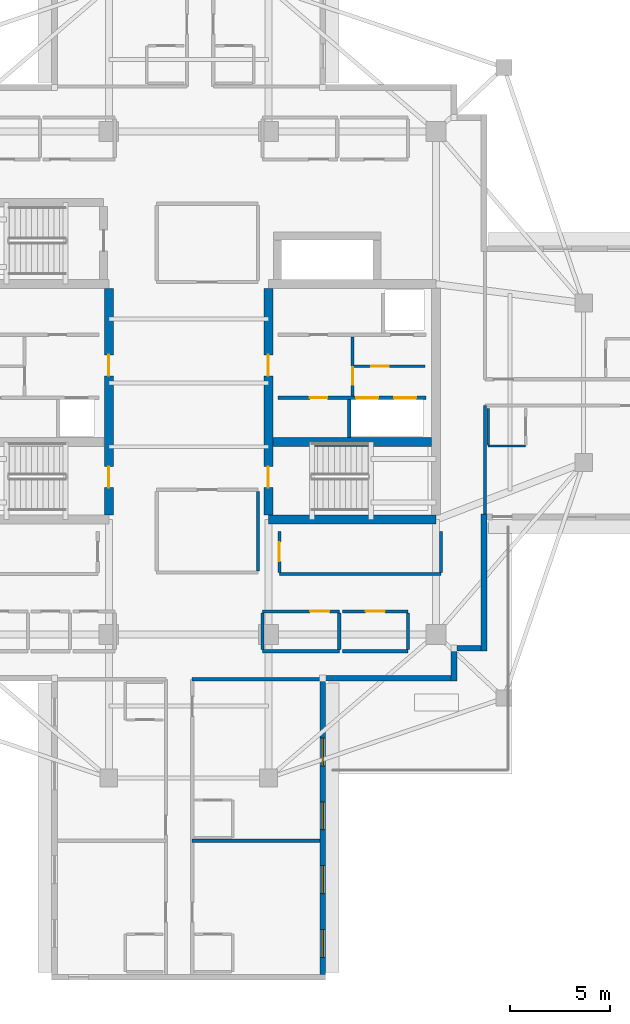
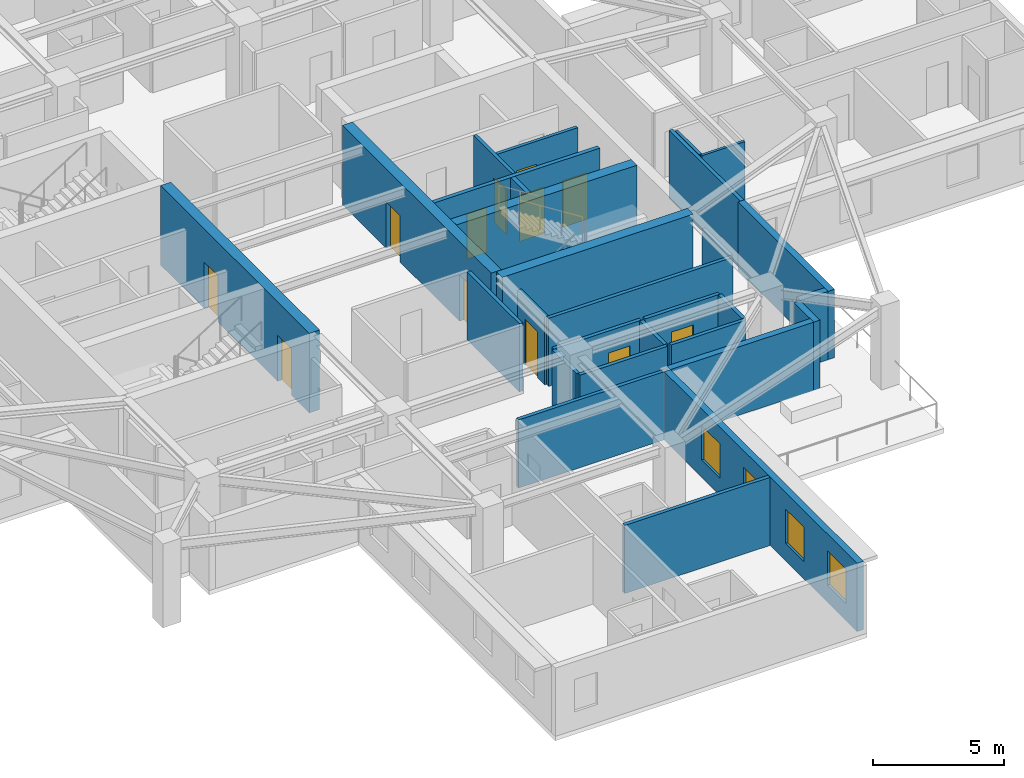
# One storey, part 5 of 13: 29 walls, 12 doors, 4 windows, 16 openings.
"""IFC4 building model written with IfcOpenShell, lengths in metres."""

import ifcopenshell
import ifcopenshell.guid

model = None  # the IFC model being written
_history = None  # IfcOwnerHistory: only IFC2X3 demands one
_inside = {}  # id of a spatial element -> (the spatial element, [elements in it])
_under = {}  # id of a project, library or spatial element -> (it, [spatial elements below it])
_declared = {}  # id of a project -> (the project, [libraries it declares])
_typed = {}  # id of a type object -> (the type object, [elements of that type])
_made_of = {}  # id of a material, layer set ... -> (it, [elements and type objects made of it])


def new_model(schema):
    """Start an empty IFC model of exactly this schema.

    Asked for "IFC4X3", IfcOpenShell would pick the latest addendum, in which some entities
    have other attributes; the version numbers below select the first issue.
    IFC2X3 requires an IfcOwnerHistory on every rooted entity: one is made here for all.
    """
    global model, _history
    if schema == "IFC4X3":
        model = ifcopenshell.file(schema_version=(4, 3, 0, 0))
    else:
        model = ifcopenshell.file(schema=schema)
    _inside.clear()
    _under.clear()
    _declared.clear()
    _typed.clear()
    _made_of.clear()
    _history = None
    if model.schema == "IFC2X3":
        org = make("IfcOrganization", Name="unknown")
        user = make(
            "IfcPersonAndOrganization",
            ThePerson=make("IfcPerson", FamilyName="unknown"),
            TheOrganization=org,
        )
        app = make(
            "IfcApplication",
            ApplicationDeveloper=org,
            Version="unknown",
            ApplicationFullName="unknown",
            ApplicationIdentifier="unknown",
        )
        _history = make(
            "IfcOwnerHistory",
            OwningUser=user,
            OwningApplication=app,
            ChangeAction="ADDED",
            CreationDate=0,
        )
    return model


def make(cls, **values):
    """One entity of the class cls with the attributes given. An attribute that is None is left unset."""
    return model.create_entity(
        cls, **{name: value for name, value in values.items() if value is not None}
    )


def rooted(cls, **values):
    """An entity with a GlobalId (a new one), such as an element, a storey or a relation."""
    return make(cls, GlobalId=ifcopenshell.guid.new(), OwnerHistory=_history, **values)


def si_unit(unit_type, name, prefix=None):
    """IfcSIUnit, for example si_unit("LENGTHUNIT", "METRE", prefix="MILLI")."""
    return make("IfcSIUnit", UnitType=unit_type, Prefix=prefix, Name=name)


def assignment(units):
    """IfcUnitAssignment: the units of a project."""
    return None if units is None else make("IfcUnitAssignment", Units=units)


def point(xyz):
    """IfcCartesianPoint."""
    return None if xyz is None else make("IfcCartesianPoint", Coordinates=xyz)


def direction(xyz):
    """IfcDirection."""
    return None if xyz is None else make("IfcDirection", DirectionRatios=xyz)


def frame(location, z_axis=None, x_axis=None):
    """IfcAxis2Placement3D, a coordinate frame: its origin and axes. An axis left out is left unset."""
    return make(
        "IfcAxis2Placement3D",
        Location=point(location),
        Axis=direction(z_axis),
        RefDirection=direction(x_axis),
    )


def frame_2d(location, x_axis=None):
    """IfcAxis2Placement2D, a coordinate frame in the plane: its origin and x axis."""
    return make(
        "IfcAxis2Placement2D", Location=point(location), RefDirection=direction(x_axis)
    )


def origin():
    """The frame at (0, 0, 0) with its axes left unset."""
    return frame((0.0, 0.0, 0.0))


def place(relative_to, where):
    """IfcLocalPlacement: puts the frame where relative to a parent placement (None: the world)."""
    return make(
        "IfcLocalPlacement", PlacementRelTo=relative_to, RelativePlacement=where
    )


def context(
    kind, dimensions, precision=None, world=None, true_north=None, identifier=None
):
    """IfcGeometricRepresentationContext, for example the 3D "Model" context."""
    return make(
        "IfcGeometricRepresentationContext",
        ContextIdentifier=identifier,
        ContextType=kind,
        CoordinateSpaceDimension=dimensions,
        Precision=precision,
        WorldCoordinateSystem=world,
        TrueNorth=true_north,
    )


def subcontext(parent, identifier, kind, view, scale=None):
    """IfcGeometricRepresentationSubContext, for example "Body" below "Model"."""
    return make(
        "IfcGeometricRepresentationSubContext",
        ContextIdentifier=identifier,
        ContextType=kind,
        ParentContext=parent,
        TargetScale=scale,
        TargetView=view,
    )


def project(units=None, contexts=None):
    """IfcProject with its units and contexts."""
    return rooted(
        "IfcProject",
        Name="project",
        RepresentationContexts=contexts,
        UnitsInContext=assignment(units),
    )


def spatial(cls, under=None, at=None, **own):
    """A site, building, storey or space (cls), placed at a placement, below another one or the project."""
    s = rooted(cls, ObjectPlacement=at, **own)
    if under is not None:
        _under.setdefault(under.id(), (under, []))[1].append(s)
    return s


def profile(cls, at=None, kind="AREA", **sizes):
    """A parametric profile (cls). Its sizes go by their IFC names, for example OverallWidth=200.0."""
    return make(cls, ProfileType=kind, Position=at, **sizes)


def rectangle(**sizes):
    """IfcRectangleProfileDef."""
    return profile("IfcRectangleProfileDef", **sizes)


def extrude(swept, where, along, depth):
    """IfcExtrudedAreaSolid: the profile swept, set in the frame where, extruded along a direction by depth."""
    return make(
        "IfcExtrudedAreaSolid",
        SweptArea=swept,
        Position=where,
        ExtrudedDirection=direction(along),
        Depth=depth,
    )


def shape(context_of_items, identifier, shape_type, items):
    """IfcShapeRepresentation: the items that make up one representation, for example the "Body"."""
    return make(
        "IfcShapeRepresentation",
        ContextOfItems=context_of_items,
        RepresentationIdentifier=identifier,
        RepresentationType=shape_type,
        Items=items,
    )


def material(Name=None, Category=None):
    """IfcMaterial."""
    return make("IfcMaterial", Name=Name, Category=Category)


def layer(
    of_material, thickness, ventilated=None, Name=None, Category=None, Priority=None
):
    """IfcMaterialLayer: one layer of a wall or slab, of a material (None: an air gap)."""
    return make(
        "IfcMaterialLayer",
        Material=of_material,
        LayerThickness=thickness,
        IsVentilated=ventilated,
        Name=Name,
        Category=Category,
        Priority=Priority,
    )


def layer_set(layers, Name=None):
    """IfcMaterialLayerSet."""
    return make("IfcMaterialLayerSet", MaterialLayers=layers, LayerSetName=Name)


def made_of(thing, what):
    """Note that an element or type object is made of a material, layer set ...; save() writes the relation."""
    if what is not None:
        _made_of.setdefault(what.id(), (what, []))[1].append(thing)
    return thing


def type_object(cls, material=None, **own):
    """A type object (cls), such as IfcWallType, which elements share."""
    return made_of(rooted(cls, **own), material)


def element(
    cls,
    number,
    at=None,
    inside=None,
    cuts=None,
    type_object=None,
    material=None,
    context=None,
    identifier="Body",
    shape_type=None,
    held_by="IfcProductDefinitionShape",
    body=None,
    shapes=None,
    **own,
):
    """One element of the class cls, such as IfcWall. Its Tag is "e" and its number.

    at: its placement. inside: the storey or other place that contains it. cuts: it is an
    opening in that element (IfcRelVoidsElement). A single representation is given by context,
    identifier, shape_type and body (its items); several are given by shapes. held_by: the class
    of the entity that holds the representations. save() writes the other relations.
    """
    e = rooted(cls, Tag="e%d" % number, ObjectPlacement=at, **own)
    if body is not None:
        shapes = [shape(context, identifier, shape_type, body)]
    if shapes is not None:
        e.Representation = make(held_by, Representations=shapes)
    if inside is not None:
        _inside.setdefault(inside.id(), (inside, []))[1].append(e)
    if cuts is not None:
        rooted(
            "IfcRelVoidsElement", RelatingBuildingElement=cuts, RelatedOpeningElement=e
        )
    if type_object is not None:
        _typed.setdefault(type_object.id(), (type_object, []))[1].append(e)
    return made_of(e, material)


def fill(opening, filler):
    """IfcRelFillsElement: the door or window that sits in an opening."""
    return rooted(
        "IfcRelFillsElement",
        RelatingOpeningElement=opening,
        RelatedBuildingElement=filler,
    )


def aggregate(whole, parts):
    """IfcRelAggregates: a whole, such as a stair, and the parts it consists of."""
    return rooted("IfcRelAggregates", RelatingObject=whole, RelatedObjects=parts)


def save(model, path):
    """Write the relations noted so far, then the file.

    IfcRelAggregates (storeys below a building ...), IfcRelContainedInSpatialStructure (elements
    in a storey), IfcRelDefinesByType, IfcRelAssociatesMaterial and IfcRelDeclares: one each for
    every whole, place, type object, material and project.
    """
    for whole, parts in _under.values():
        aggregate(whole, parts)
    for where, things in _inside.values():
        rooted(
            "IfcRelContainedInSpatialStructure",
            RelatedElements=things,
            RelatingStructure=where,
        )
    for kind, things in _typed.values():
        rooted("IfcRelDefinesByType", RelatedObjects=things, RelatingType=kind)
    for what, things in _made_of.values():
        rooted("IfcRelAssociatesMaterial", RelatedObjects=things, RelatingMaterial=what)
    for by, libraries in _declared.values():
        rooted("IfcRelDeclares", RelatingContext=by, RelatedDefinitions=libraries)
    model.write(path)


model = new_model("IFC4")

# Units and contexts
model_context = context("Model", 3, precision=1e-05, world=origin(), true_north=direction((0.0, 1.0)))
body_context = subcontext(model_context, "Body", "Model", "MODEL_VIEW")
ifc_project = project(units=[si_unit("LENGTHUNIT", "METRE"), si_unit("AREAUNIT", "SQUARE_METRE"), si_unit("VOLUMEUNIT", "CUBIC_METRE"), si_unit("PLANEANGLEUNIT", "RADIAN"), si_unit("MASSUNIT", "GRAM", prefix="KILO")], contexts=[model_context])

# Site, building, storey
site_placement = place(None, origin())
site = spatial("IfcSite", under=ifc_project, at=site_placement, CompositionType="ELEMENT")
building_placement = place(site_placement, origin())
building = spatial("IfcBuilding", under=site, at=building_placement, Name="Qingluan Cross Belvedere", CompositionType="ELEMENT")
storey_placement = place(building_placement, frame((0.0, 0.0, 224.699951171875)))
storey = spatial("IfcBuildingStorey", under=building, at=storey_placement, Name="L56", CompositionType="ELEMENT", Elevation=224.699951171875)

# Wall, openings, doors
ifc_material_1 = material(Name="Concrete C50", Category="concrete")
ifc_layer_1 = layer(ifc_material_1, 0.449951171875, Name="CoreShearWall_450")
ifc_layer_set_1 = layer_set([ifc_layer_1], Name="Concrete C50")
wall_type_1 = type_object("IfcWallType", Name="CoreShearWall_450", PredefinedType="SHEAR", material=ifc_layer_set_1)
wall_1_placement = place(storey_placement, frame((-4.0, -6.6201171875, 0.0), z_axis=(0.0, 0.0, 1.0), x_axis=(0.0, 1.0, 0.0)))
wall_1 = element("IfcWall", 1, at=wall_1_placement, inside=storey, type_object=wall_type_1, Name="Split core W shear wall L56-E", PredefinedType="SHEAR", context=body_context, shape_type="SweptSolid", body=[
    extrude(rectangle(XDim=11.340087890625, YDim=0.449951171875, at=frame_2d((5.669921875, 0.0))), origin(), (0.0, 0.0, 1.0), 3.699951171875),
])
opening_1_placement = place(wall_1_placement, frame((1.3701171875, 0.0, 0.0)))
opening_1 = element("IfcOpeningElement", 2, at=opening_1_placement, cuts=wall_1, Name="Opening FD-B11", PredefinedType="OPENING", context=body_context, shape_type="SweptSolid", body=[
    extrude(rectangle(XDim=1.050048828125, YDim=2.14990234375, at=frame_2d((0.52490234375, 1.074951171875))), frame((0.0, 0.23486328125, 0.0), z_axis=(0.0, -1.0, 0.0), x_axis=(1.0, 0.0, 0.0)), (0.0, 0.0, 1.0), 0.469970703125),
])
opening_2_placement = place(wall_1_placement, frame((6.969970703125, 0.0, 0.0)))
opening_2 = element("IfcOpeningElement", 3, at=opening_2_placement, cuts=wall_1, Name="Opening FD-B11", PredefinedType="OPENING", context=body_context, shape_type="SweptSolid", body=[
    extrude(rectangle(XDim=1.050048828125, YDim=2.14990234375, at=frame_2d((0.52490234375, 1.074951171875))), frame((0.0, 0.23486328125, 0.0), z_axis=(0.0, -1.0, 0.0), x_axis=(1.0, 0.0, 0.0)), (0.0, 0.0, 1.0), 0.469970703125),
])
ifc_material_2 = material(Name="Steel Class B smoke-seal fire door", Category="steel")
door_type_1 = type_object("IfcDoorType", Name="StairLobbyFireDoor_FDB", OperationType="NOTDEFINED", PredefinedType="DOOR", material=ifc_material_2)
door_1_placement = place(opening_1_placement, origin())
door_1 = element("IfcDoor", 4, at=door_1_placement, inside=storey, type_object=door_type_1, Name="Smoke-proof stair ST1 fire door L56", OperationType="SINGLE_SWING_RIGHT", OverallHeight=2.14990234375, OverallWidth=1.050048828125, PredefinedType="DOOR", context=body_context, shape_type="SweptSolid", body=[
    extrude(rectangle(XDim=1.050048828125, YDim=2.14990234375, at=frame_2d((0.52490234375, 1.074951171875))), frame((0.0, 0.02490234375, 0.0), z_axis=(0.0, -1.0, 0.0), x_axis=(1.0, 0.0, 0.0)), (0.0, 0.0, 1.0), 0.050048828125),
])
fill(opening_1, door_1)
door_2_placement = place(opening_2_placement, origin())
door_2 = element("IfcDoor", 5, at=door_2_placement, inside=storey, type_object=door_type_1, Name="Firefighting lobby West fire door L56", OperationType="SINGLE_SWING_RIGHT", OverallHeight=2.14990234375, OverallWidth=1.050048828125, PredefinedType="DOOR", context=body_context, shape_type="SweptSolid", body=[
    extrude(rectangle(XDim=1.050048828125, YDim=2.14990234375, at=frame_2d((0.52490234375, 1.074951171875))), frame((0.0, 0.02490234375, 0.0), z_axis=(0.0, -1.0, 0.0), x_axis=(1.0, 0.0, 0.0)), (0.0, 0.0, 1.0), 0.050048828125),
])
fill(opening_2, door_2)

# Wall
wall_2_placement = place(storey_placement, frame((4.0, -6.85009765625, 0.0), z_axis=(0.0, 0.0, 1.0), x_axis=(1.0, 0.0, 0.0)))
element("IfcWall", 6, at=wall_2_placement, inside=storey, type_object=wall_type_1, Name="Split core E shear wall L56-S", PredefinedType="SHEAR", context=body_context, shape_type="SweptSolid", body=[
    extrude(rectangle(XDim=8.39990234375, YDim=0.449951171875, at=frame_2d((4.199951171875, 0.0))), origin(), (0.0, 0.0, 1.0), 3.699951171875),
])

# Wall, openings, doors
wall_3_placement = place(storey_placement, frame((4.0, -6.6201171875, 0.0), z_axis=(0.0, 0.0, 1.0), x_axis=(0.0, 1.0, 0.0)))
wall_3 = element("IfcWall", 7, at=wall_3_placement, inside=storey, type_object=wall_type_1, Name="Split core E shear wall L56-W", PredefinedType="SHEAR", context=body_context, shape_type="SweptSolid", body=[
    extrude(rectangle(XDim=11.340087890625, YDim=0.449951171875, at=frame_2d((5.669921875, 0.0))), origin(), (0.0, 0.0, 1.0), 3.699951171875),
])
opening_3_placement = place(wall_3_placement, frame((1.3701171875, 0.0, 0.0)))
opening_3 = element("IfcOpeningElement", 8, at=opening_3_placement, cuts=wall_3, Name="Opening FD-B11", PredefinedType="OPENING", context=body_context, shape_type="SweptSolid", body=[
    extrude(rectangle(XDim=1.050048828125, YDim=2.14990234375, at=frame_2d((0.52490234375, 1.074951171875))), frame((0.0, 0.23486328125, 0.0), z_axis=(0.0, -1.0, 0.0), x_axis=(1.0, 0.0, 0.0)), (0.0, 0.0, 1.0), 0.469970703125),
])
opening_4_placement = place(wall_3_placement, frame((6.969970703125, 0.0, 0.0)))
opening_4 = element("IfcOpeningElement", 9, at=opening_4_placement, cuts=wall_3, Name="Opening FD-B11", PredefinedType="OPENING", context=body_context, shape_type="SweptSolid", body=[
    extrude(rectangle(XDim=1.050048828125, YDim=2.14990234375, at=frame_2d((0.52490234375, 1.074951171875))), frame((0.0, 0.23486328125, 0.0), z_axis=(0.0, -1.0, 0.0), x_axis=(1.0, 0.0, 0.0)), (0.0, 0.0, 1.0), 0.469970703125),
])
door_3_placement = place(opening_3_placement, origin())
door_3 = element("IfcDoor", 10, at=door_3_placement, inside=storey, type_object=door_type_1, Name="Smoke-proof stair ST2 fire door L56", OperationType="SINGLE_SWING_LEFT", OverallHeight=2.14990234375, OverallWidth=1.050048828125, PredefinedType="DOOR", context=body_context, shape_type="SweptSolid", body=[
    extrude(rectangle(XDim=1.050048828125, YDim=2.14990234375, at=frame_2d((0.52490234375, 1.074951171875))), frame((0.0, 0.02490234375, 0.0), z_axis=(0.0, -1.0, 0.0), x_axis=(1.0, 0.0, 0.0)), (0.0, 0.0, 1.0), 0.050048828125),
])
fill(opening_3, door_3)
door_4_placement = place(opening_4_placement, origin())
door_4 = element("IfcDoor", 11, at=door_4_placement, inside=storey, type_object=door_type_1, Name="Firefighting lobby East fire door L56", OperationType="SINGLE_SWING_LEFT", OverallHeight=2.14990234375, OverallWidth=1.050048828125, PredefinedType="DOOR", context=body_context, shape_type="SweptSolid", body=[
    extrude(rectangle(XDim=1.050048828125, YDim=2.14990234375, at=frame_2d((0.52490234375, 1.074951171875))), frame((0.0, 0.02490234375, 0.0), z_axis=(0.0, -1.0, 0.0), x_axis=(1.0, 0.0, 0.0)), (0.0, 0.0, 1.0), 0.050048828125),
])
fill(opening_4, door_4)

# Wall
wall_4_placement = place(storey_placement, frame((4.22998046875, -2.9599609375, 0.0), z_axis=(0.0, 0.0, 1.0), x_axis=(1.0, 0.0, 0.0)))
element("IfcWall", 12, at=wall_4_placement, inside=storey, type_object=wall_type_1, Name="Split core E shear wall L56-M", PredefinedType="SHEAR", context=body_context, shape_type="SweptSolid", body=[
    extrude(rectangle(XDim=7.93994140625, YDim=0.449951171875, at=frame_2d((3.969970703125, 0.0))), origin(), (0.0, 0.0, 1.0), 3.699951171875),
])

# Wall, opening, door
ifc_material_3 = material(Name="Gypsum plasterboard on steel stud acoustic partition", Category="steel")
ifc_layer_2 = layer(ifc_material_3, 0.159912109375, Name="CorridorPartition_160")
ifc_layer_set_2 = layer_set([ifc_layer_2], Name="Gypsum plasterboard on steel stud acoustic partition")
wall_type_2 = type_object("IfcWallType", Name="CorridorPartition_160", PredefinedType="PARTITIONING", material=ifc_layer_set_2)
wall_5_placement = place(storey_placement, frame((8.298095703125, 0.830078125, 0.0), z_axis=(0.0, 0.0, 1.0), x_axis=(1.0, 0.0, 0.0)))
wall_5 = element("IfcWall", 13, at=wall_5_placement, inside=storey, type_object=wall_type_2, Name="Partition L56:e", PredefinedType="PARTITIONING", context=body_context, shape_type="SweptSolid", body=[
    extrude(rectangle(XDim=3.552001953125, YDim=0.139892578125, at=frame_2d((1.77587890625, 0.0))), origin(), (0.0, 0.0, 1.0), 3.170166015625),
])
opening_5_placement = place(wall_5_placement, frame((0.85009765625, 0.0, 0.0)))
opening_5 = element("IfcOpeningElement", 14, at=opening_5_placement, cuts=wall_5, Name="Opening FD-B10", PredefinedType="OPENING", context=body_context, shape_type="SweptSolid", body=[
    extrude(rectangle(XDim=0.8798828125, YDim=2.10009765625, at=frame_2d((0.43994140625, 1.050048828125))), frame((0.0, 0.079833984375, 0.0), z_axis=(0.0, -1.0, 0.0), x_axis=(1.0, 0.0, 0.0)), (0.0, 0.0, 1.0), 0.159912109375),
])
ifc_material_4 = material(Name="Steel Class B service fire door", Category="steel")
door_type_2 = type_object("IfcDoorType", Name="RiserServiceFireDoor_FDB", OperationType="NOTDEFINED", PredefinedType="DOOR", material=ifc_material_4)
door_5_placement = place(opening_5_placement, origin())
door_5 = element("IfcDoor", 15, at=door_5_placement, inside=storey, type_object=door_type_2, Name="Service closet inner door L56", OperationType="SINGLE_SWING_RIGHT", OverallHeight=2.10009765625, OverallWidth=0.8798828125, PredefinedType="DOOR", context=body_context, shape_type="SweptSolid", body=[
    extrude(rectangle(XDim=0.8798828125, YDim=2.10009765625, at=frame_2d((0.43994140625, 1.050048828125))), frame((0.0, 0.02490234375, 0.0), z_axis=(0.0, -1.0, 0.0), x_axis=(1.0, 0.0, 0.0)), (0.0, 0.0, 1.0), 0.050048828125),
])
fill(opening_5, door_5)

# Wall
wall_6_placement = place(storey_placement, frame((3.699951171875, -13.449951171875, 0.0), z_axis=(0.0, 0.0, 1.0), x_axis=(1.0, 0.0, 0.0)))
element("IfcWall", 16, at=wall_6_placement, inside=storey, type_object=wall_type_2, Name="Partition L56:q_se1:S", PredefinedType="PARTITIONING", context=body_context, shape_type="SweptSolid", body=[
    extrude(rectangle(XDim=3.85009765625, YDim=0.159912109375, at=frame_2d((1.925048828125, 0.0))), origin(), (0.0, 0.0, 1.0), 3.170166015625),
])

# Wall, opening, door
wall_7_placement = place(storey_placement, frame((3.699951171875, -11.449951171875, 0.0), z_axis=(0.0, 0.0, 1.0), x_axis=(1.0, 0.0, 0.0)))
wall_7 = element("IfcWall", 17, at=wall_7_placement, inside=storey, type_object=wall_type_2, Name="Partition L56:q_se1:N", PredefinedType="PARTITIONING", context=body_context, shape_type="SweptSolid", body=[
    extrude(rectangle(XDim=3.85009765625, YDim=0.159912109375, at=frame_2d((1.925048828125, 0.0))), origin(), (0.0, 0.0, 1.0), 3.170166015625),
])
opening_6_placement = place(wall_7_placement, frame((2.39501953125, 0.0, 0.0)))
opening_6 = element("IfcOpeningElement", 18, at=opening_6_placement, cuts=wall_7, Name="Opening GD-10", PredefinedType="OPENING", context=body_context, shape_type="SweptSolid", body=[
    extrude(rectangle(XDim=0.9599609375, YDim=2.14990234375, at=frame_2d((0.47998046875, 1.074951171875))), frame((0.0, 0.08984375, 0.0), z_axis=(0.0, -1.0, 0.0), x_axis=(1.0, 0.0, 0.0)), (0.0, 0.0, 1.0), 0.179931640625),
])
ifc_material_5 = material(Name="Timber oak fire-rated acoustic guestroom door", Category="wood")
door_type_3 = type_object("IfcDoorType", Name="GuestEntryDoor_FD60", OperationType="NOTDEFINED", PredefinedType="DOOR", material=ifc_material_5)
door_6_placement = place(opening_6_placement, origin())
door_6 = element("IfcDoor", 19, at=door_6_placement, inside=storey, type_object=door_type_3, Name="Botanical infusion pantry L56 door", OperationType="SINGLE_SWING_RIGHT", OverallHeight=2.14990234375, OverallWidth=0.9599609375, PredefinedType="DOOR", context=body_context, shape_type="SweptSolid", body=[
    extrude(rectangle(XDim=0.9599609375, YDim=2.14990234375, at=frame_2d((0.47998046875, 1.074951171875))), frame((0.0, 0.02490234375, 0.0), z_axis=(0.0, -1.0, 0.0), x_axis=(1.0, 0.0, 0.0)), (0.0, 0.0, 1.0), 0.050048828125),
])
fill(opening_6, door_6)

# Walls
for number, where, z_axis, x_axis, name in (
    (20, (3.699951171875, -13.364990234375, 0.0), (0.0, 0.0, 1.0), (0.0, 1.0, 0.0), "Partition L56:q_se1:W"),
    (21, (7.550048828125, -13.364990234375, 0.0), (0.0, 0.0, 1.0), (0.0, 1.0, 0.0), "Partition L56:q_se1:E"),
):
    element("IfcWall", number, at=place(storey_placement, frame(where, z_axis=z_axis, x_axis=x_axis)), inside=storey, type_object=wall_type_2, Name=name, PredefinedType="PARTITIONING", context=body_context, shape_type="SweptSolid", body=[
        extrude(rectangle(XDim=1.830078125, YDim=0.159912109375, at=frame_2d((0.9150390625, 0.0))), origin(), (0.0, 0.0, 1.0), 3.170166015625),
    ])
wall_8_placement = place(storey_placement, frame((7.7099609375, -13.449951171875, 0.0), z_axis=(0.0, 0.0, 1.0), x_axis=(1.0, 0.0, 0.0)))
element("IfcWall", 22, at=wall_8_placement, inside=storey, type_object=wall_type_2, Name="Partition L56:q_se2:S", PredefinedType="PARTITIONING", context=body_context, shape_type="SweptSolid", body=[
    extrude(rectangle(XDim=3.2900390625, YDim=0.159912109375, at=frame_2d((1.64501953125, 0.0))), origin(), (0.0, 0.0, 1.0), 3.170166015625),
])

# Wall, opening, door
wall_9_placement = place(storey_placement, frame((7.7099609375, -11.449951171875, 0.0), z_axis=(0.0, 0.0, 1.0), x_axis=(1.0, 0.0, 0.0)))
wall_9 = element("IfcWall", 23, at=wall_9_placement, inside=storey, type_object=wall_type_2, Name="Partition L56:q_se2:N", PredefinedType="PARTITIONING", context=body_context, shape_type="SweptSolid", body=[
    extrude(rectangle(XDim=3.2900390625, YDim=0.159912109375, at=frame_2d((1.64501953125, 0.0))), origin(), (0.0, 0.0, 1.0), 3.170166015625),
])
opening_7_placement = place(wall_9_placement, frame((1.1650390625, 0.0, 0.0)))
opening_7 = element("IfcOpeningElement", 24, at=opening_7_placement, cuts=wall_9, Name="Opening GD-10", PredefinedType="OPENING", context=body_context, shape_type="SweptSolid", body=[
    extrude(rectangle(XDim=0.9599609375, YDim=2.14990234375, at=frame_2d((0.47998046875, 1.074951171875))), frame((0.0, 0.08984375, 0.0), z_axis=(0.0, -1.0, 0.0), x_axis=(1.0, 0.0, 0.0)), (0.0, 0.0, 1.0), 0.179931640625),
])
door_7_placement = place(opening_7_placement, origin())
door_7 = element("IfcDoor", 25, at=door_7_placement, inside=storey, type_object=door_type_3, Name="Southeast study room L56 door", OperationType="SINGLE_SWING_LEFT", OverallHeight=2.14990234375, OverallWidth=0.9599609375, PredefinedType="DOOR", context=body_context, shape_type="SweptSolid", body=[
    extrude(rectangle(XDim=0.9599609375, YDim=2.14990234375, at=frame_2d((0.47998046875, 1.074951171875))), frame((0.0, 0.02490234375, 0.0), z_axis=(0.0, -1.0, 0.0), x_axis=(1.0, 0.0, 0.0)), (0.0, 0.0, 1.0), 0.050048828125),
])
fill(opening_7, door_7)

# Walls
wall_10_placement = place(storey_placement, frame((11.0, -13.364990234375, 0.0), z_axis=(0.0, 0.0, 1.0), x_axis=(0.0, 1.0, 0.0)))
element("IfcWall", 26, at=wall_10_placement, inside=storey, type_object=wall_type_2, Name="Partition L56:q_se2:E", PredefinedType="PARTITIONING", context=body_context, shape_type="SweptSolid", body=[
    extrude(rectangle(XDim=1.830078125, YDim=0.159912109375, at=frame_2d((0.9150390625, 0.0))), origin(), (0.0, 0.0, 1.0), 3.170166015625),
])
wall_11_placement = place(storey_placement, frame((3.47998046875, -9.4150390625, 0.0), z_axis=(0.0, 0.0, 1.0), x_axis=(0.0, 1.0, 0.0)))
element("IfcWall", 27, at=wall_11_placement, inside=storey, type_object=wall_type_2, Name="Partition L56:sky_south_alcove:E", PredefinedType="PARTITIONING", context=body_context, shape_type="SweptSolid", body=[
    extrude(rectangle(XDim=3.97998046875, YDim=0.159912109375, at=frame_2d((1.989990234375, 0.0))), origin(), (0.0, 0.0, 1.0), 3.170166015625),
])
wall_12_placement = place(storey_placement, frame((4.550048828125, -9.580078125, 0.0), z_axis=(0.0, 0.0, 1.0), x_axis=(1.0, 0.0, 0.0)))
element("IfcWall", 28, at=wall_12_placement, inside=storey, type_object=wall_type_2, Name="Partition L56:rec_st4:S", PredefinedType="PARTITIONING", context=body_context, shape_type="SweptSolid", body=[
    extrude(rectangle(XDim=8.099853515625, YDim=0.159912109375, at=frame_2d((4.0498046875, 0.0))), origin(), (0.0, 0.0, 1.0), 3.170166015625),
])

# Wall, opening, door
wall_13_placement = place(storey_placement, frame((4.550048828125, -9.4951171875, 0.0), z_axis=(0.0, 0.0, 1.0), x_axis=(0.0, 1.0, 0.0)))
wall_13 = element("IfcWall", 29, at=wall_13_placement, inside=storey, type_object=wall_type_2, Name="Partition L56:rec_st4:W", PredefinedType="PARTITIONING", context=body_context, shape_type="SweptSolid", body=[
    extrude(rectangle(XDim=2.06005859375, YDim=0.159912109375, at=frame_2d((1.030029296875, 0.0))), origin(), (0.0, 0.0, 1.0), 3.170166015625),
])
opening_8_placement = place(wall_13_placement, frame((0.550048828125, 0.0, 0.0)))
opening_8 = element("IfcOpeningElement", 30, at=opening_8_placement, cuts=wall_13, Name="Opening GD-10", PredefinedType="OPENING", context=body_context, shape_type="SweptSolid", body=[
    extrude(rectangle(XDim=0.9599609375, YDim=2.14990234375, at=frame_2d((0.47998046875, 1.074951171875))), frame((0.0, 0.08984375, 0.0), z_axis=(0.0, -1.0, 0.0), x_axis=(1.0, 0.0, 0.0)), (0.0, 0.0, 1.0), 0.179931640625),
])
door_8_placement = place(opening_8_placement, origin())
door_8 = element("IfcDoor", 31, at=door_8_placement, inside=storey, type_object=door_type_3, Name="Southeast club library room L56 door", OperationType="SINGLE_SWING_LEFT", OverallHeight=2.14990234375, OverallWidth=0.9599609375, PredefinedType="DOOR", context=body_context, shape_type="SweptSolid", body=[
    extrude(rectangle(XDim=0.9599609375, YDim=2.14990234375, at=frame_2d((0.47998046875, 1.074951171875))), frame((0.0, 0.02490234375, 0.0), z_axis=(0.0, -1.0, 0.0), x_axis=(1.0, 0.0, 0.0)), (0.0, 0.0, 1.0), 0.050048828125),
])
fill(opening_8, door_8)

# Walls
wall_14_placement = place(storey_placement, frame((12.64990234375, -9.4951171875, 0.0), z_axis=(0.0, 0.0, 1.0), x_axis=(0.0, 1.0, 0.0)))
element("IfcWall", 32, at=wall_14_placement, inside=storey, type_object=wall_type_2, Name="Partition L56:rec_st4:E", PredefinedType="PARTITIONING", context=body_context, shape_type="SweptSolid", body=[
    extrude(rectangle(XDim=2.06005859375, YDim=0.159912109375, at=frame_2d((1.030029296875, 0.0))), origin(), (0.0, 0.0, 1.0), 3.170166015625),
])
wall_15_placement = place(storey_placement, frame((14.85009765625, -1.139892578125, 0.0), z_axis=(0.0, 0.0, 1.0), x_axis=(0.0, -1.0, 0.0)))
element("IfcWall", 33, at=wall_15_placement, inside=storey, type_object=wall_type_2, Name="Partition L56:E:s1", PredefinedType="PARTITIONING", context=body_context, shape_type="SweptSolid", body=[
    extrude(rectangle(XDim=5.43212890625, YDim=0.159912109375, at=frame_2d((2.716064453125, 0.0))), origin(), (0.0, 0.0, 1.0), 3.170166015625),
])
wall_16_placement = place(storey_placement, frame((0.179931640625, -14.85009765625, 0.0), z_axis=(0.0, 0.0, 1.0), x_axis=(1.0, 0.0, 0.0)))
element("IfcWall", 34, at=wall_16_placement, inside=storey, type_object=wall_type_2, Name="Partition L56:S:s0", PredefinedType="PARTITIONING", context=body_context, shape_type="SweptSolid", body=[
    extrude(rectangle(XDim=6.5400390625, YDim=0.159912109375, at=frame_2d((3.27001953125, 0.0))), origin(), (0.0, 0.0, 1.0), 3.170166015625),
])
wall_17_placement = place(storey_placement, frame((0.179931640625, -22.94189453125, 0.0), z_axis=(0.0, 0.0, 1.0), x_axis=(1.0, 0.0, 0.0)))
element("IfcWall", 35, at=wall_17_placement, inside=storey, type_object=wall_type_2, Name="Partition L56:S:d0_0", PredefinedType="PARTITIONING", context=body_context, shape_type="SweptSolid", body=[
    extrude(rectangle(XDim=6.39208984375, YDim=0.159912109375, at=frame_2d((3.196044921875, 0.0))), origin(), (0.0, 0.0, 1.0), 3.170166015625),
])
ifc_material_6 = material(Name="Moisture-resistant gypsum board lining")
ifc_layer_3 = layer(ifc_material_6, 0.1201171875, Name="EnsuiteWetPartition_120")
ifc_layer_set_3 = layer_set([ifc_layer_3], Name="Moisture-resistant gypsum board lining")
wall_type_3 = type_object("IfcWallType", Name="EnsuiteWetPartition_120", PredefinedType="PARTITIONING", material=ifc_layer_set_3)
wall_18_placement = place(storey_placement, frame((15.010009765625, -3.10009765625, 0.0), z_axis=(0.0, 0.0, 1.0), x_axis=(0.0, 1.0, 0.0)))
element("IfcWall", 36, at=wall_18_placement, inside=storey, type_object=wall_type_3, Name="Partition L56:E:bw1_0", PredefinedType="PARTITIONING", context=body_context, shape_type="SweptSolid", body=[
    extrude(rectangle(XDim=1.820068359375, YDim=0.1201171875, at=frame_2d((0.91015625, 0.0))), origin(), (0.0, 0.0, 1.0), 3.170166015625),
])
wall_19_placement = place(storey_placement, frame((15.010009765625, -3.1650390625, 0.0), z_axis=(0.0, 0.0, 1.0), x_axis=(1.0, 0.0, 0.0)))
element("IfcWall", 37, at=wall_19_placement, inside=storey, type_object=wall_type_3, Name="Partition L56:E:bc1_0", PredefinedType="PARTITIONING", context=body_context, shape_type="SweptSolid", body=[
    extrude(rectangle(XDim=1.8798828125, YDim=0.1201171875, at=frame_2d((0.93994140625, 0.0))), origin(), (0.0, 0.0, 1.0), 3.170166015625),
])

# Wall, openings, windows
ifc_material_7 = material(Name="Precast concrete C45", Category="concrete")
ifc_layer_4 = layer(ifc_material_7, 0.280029296875, Name="PrecastFacadeWall_280")
ifc_layer_set_4 = layer_set([ifc_layer_4], Name="Precast concrete C45")
wall_type_4 = type_object("IfcWallType", Name="PrecastFacadeWall_280", PredefinedType="STANDARD", material=ifc_layer_set_4)
wall_20_placement = place(storey_placement, frame((6.719970703125, -29.639892578125, 0.0), z_axis=(0.0, 0.0, 1.0), x_axis=(0.0, 1.0, 0.0)))
wall_20 = element("IfcWall", 38, at=wall_20_placement, inside=storey, type_object=wall_type_4, Name="Facade wall L56-SB", PredefinedType="STANDARD", context=body_context, shape_type="SweptSolid", body=[
    extrude(rectangle(XDim=14.699951171875, YDim=0.280029296875, at=frame_2d((7.35009765625, 0.0))), origin(), (0.0, 0.0, 1.0), 3.179931640625),
])
opening_9_placement = place(wall_20_placement, frame((0.85009765625, 0.0, 0.800048828125)))
opening_9 = element("IfcOpeningElement", 39, at=opening_9_placement, cuts=wall_20, Name="Opening W-01", PredefinedType="OPENING", context=body_context, shape_type="SweptSolid", body=[
    extrude(rectangle(XDim=1.39990234375, YDim=1.60009765625, at=frame_2d((0.699951171875, 0.800048828125))), frame((0.0, 0.14990234375, 0.0), z_axis=(0.0, -1.0, 0.0), x_axis=(1.0, 0.0, 0.0)), (0.0, 0.0, 1.0), 0.300048828125),
])
opening_10_placement = place(wall_20_placement, frame((4.050048828125, 0.0, 0.800048828125)))
opening_10 = element("IfcOpeningElement", 40, at=opening_10_placement, cuts=wall_20, Name="Opening W-01", PredefinedType="OPENING", context=body_context, shape_type="SweptSolid", body=[
    extrude(rectangle(XDim=1.39990234375, YDim=1.60009765625, at=frame_2d((0.699951171875, 0.800048828125))), frame((0.0, 0.14990234375, 0.0), z_axis=(0.0, -1.0, 0.0), x_axis=(1.0, 0.0, 0.0)), (0.0, 0.0, 1.0), 0.300048828125),
])
opening_11_placement = place(wall_20_placement, frame((7.25, 0.0, 0.800048828125)))
opening_11 = element("IfcOpeningElement", 41, at=opening_11_placement, cuts=wall_20, Name="Opening W-01", PredefinedType="OPENING", context=body_context, shape_type="SweptSolid", body=[
    extrude(rectangle(XDim=1.39990234375, YDim=1.60009765625, at=frame_2d((0.699951171875, 0.800048828125))), frame((0.0, 0.14990234375, 0.0), z_axis=(0.0, -1.0, 0.0), x_axis=(1.0, 0.0, 0.0)), (0.0, 0.0, 1.0), 0.300048828125),
])
opening_12_placement = place(wall_20_placement, frame((10.449951171875, 0.0, 0.800048828125)))
opening_12 = element("IfcOpeningElement", 42, at=opening_12_placement, cuts=wall_20, Name="Opening W-01", PredefinedType="OPENING", context=body_context, shape_type="SweptSolid", body=[
    extrude(rectangle(XDim=1.39990234375, YDim=1.60009765625, at=frame_2d((0.699951171875, 0.800048828125))), frame((0.0, 0.14990234375, 0.0), z_axis=(0.0, -1.0, 0.0), x_axis=(1.0, 0.0, 0.0)), (0.0, 0.0, 1.0), 0.300048828125),
])
ifc_material_8 = material(Name="Thermally broken triple Low-E glass in aluminium frame", Category="aluminium")
window_type = type_object("IfcWindowType", Name="TriRibbonWin_1400x1600", PartitioningType="SINGLE_PANEL", PredefinedType="WINDOW", material=ifc_material_8)
window_1_placement = place(opening_9_placement, origin())
window_1 = element("IfcWindow", 43, at=window_1_placement, inside=storey, type_object=window_type, Name="Ribbon window L56-SB-1", OverallHeight=1.60009765625, OverallWidth=1.39990234375, PartitioningType="SINGLE_PANEL", PredefinedType="WINDOW", context=body_context, shape_type="SweptSolid", body=[
    extrude(rectangle(XDim=1.39990234375, YDim=1.60009765625, at=frame_2d((0.699951171875, 0.800048828125))), frame((0.0, 0.030029296875, 0.0), z_axis=(0.0, -1.0, 0.0), x_axis=(1.0, 0.0, 0.0)), (0.0, 0.0, 1.0), 0.06005859375),
])
fill(opening_9, window_1)
window_2_placement = place(opening_10_placement, origin())
window_2 = element("IfcWindow", 44, at=window_2_placement, inside=storey, type_object=window_type, Name="Ribbon window L56-SB-2", OverallHeight=1.60009765625, OverallWidth=1.39990234375, PartitioningType="SINGLE_PANEL", PredefinedType="WINDOW", context=body_context, shape_type="SweptSolid", body=[
    extrude(rectangle(XDim=1.39990234375, YDim=1.60009765625, at=frame_2d((0.699951171875, 0.800048828125))), frame((0.0, 0.030029296875, 0.0), z_axis=(0.0, -1.0, 0.0), x_axis=(1.0, 0.0, 0.0)), (0.0, 0.0, 1.0), 0.06005859375),
])
fill(opening_10, window_2)
window_3_placement = place(opening_11_placement, origin())
window_3 = element("IfcWindow", 45, at=window_3_placement, inside=storey, type_object=window_type, Name="Ribbon window L56-SB-3", OverallHeight=1.60009765625, OverallWidth=1.39990234375, PartitioningType="SINGLE_PANEL", PredefinedType="WINDOW", context=body_context, shape_type="SweptSolid", body=[
    extrude(rectangle(XDim=1.39990234375, YDim=1.60009765625, at=frame_2d((0.699951171875, 0.800048828125))), frame((0.0, 0.030029296875, 0.0), z_axis=(0.0, -1.0, 0.0), x_axis=(1.0, 0.0, 0.0)), (0.0, 0.0, 1.0), 0.06005859375),
])
fill(opening_11, window_3)
window_4_placement = place(opening_12_placement, origin())
window_4 = element("IfcWindow", 46, at=window_4_placement, inside=storey, type_object=window_type, Name="Ribbon window L56-SB-4", OverallHeight=1.60009765625, OverallWidth=1.39990234375, PartitioningType="SINGLE_PANEL", PredefinedType="WINDOW", context=body_context, shape_type="SweptSolid", body=[
    extrude(rectangle(XDim=1.39990234375, YDim=1.60009765625, at=frame_2d((0.699951171875, 0.800048828125))), frame((0.0, 0.030029296875, 0.0), z_axis=(0.0, -1.0, 0.0), x_axis=(1.0, 0.0, 0.0)), (0.0, 0.0, 1.0), 0.06005859375),
])
fill(opening_12, window_4)

# Walls
wall_21_placement = place(storey_placement, frame((14.800048828125, -6.580078125, 0.0), z_axis=(0.0, 0.0, 1.0), x_axis=(0.0, -1.0, 0.0)))
element("IfcWall", 47, at=wall_21_placement, inside=storey, type_object=wall_type_4, Name="Corner wall L56-SE1", PredefinedType="STANDARD", context=body_context, shape_type="SweptSolid", body=[
    extrude(rectangle(XDim=6.85986328125, YDim=0.280029296875, at=frame_2d((3.429931640625, 0.0))), origin(), (0.0, 0.0, 1.0), 3.179931640625),
])
wall_22_placement = place(storey_placement, frame((14.659912109375, -13.300048828125, 0.0), z_axis=(0.0, 0.0, 1.0), x_axis=(-1.0, 0.0, 0.0)))
element("IfcWall", 48, at=wall_22_placement, inside=storey, type_object=wall_type_4, Name="Corner wall L56-SE2", PredefinedType="STANDARD", context=body_context, shape_type="SweptSolid", body=[
    extrude(rectangle(XDim=1.219970703125, YDim=0.280029296875, at=frame_2d((0.60986328125, 0.0))), origin(), (0.0, 0.0, 1.0), 3.179931640625),
])
wall_23_placement = place(storey_placement, frame((13.300048828125, -13.43994140625, 0.0), z_axis=(0.0, 0.0, 1.0), x_axis=(0.0, -1.0, 0.0)))
element("IfcWall", 49, at=wall_23_placement, inside=storey, type_object=wall_type_4, Name="Corner wall L56-SE3", PredefinedType="STANDARD", context=body_context, shape_type="SweptSolid", body=[
    extrude(rectangle(XDim=1.5, YDim=0.280029296875, at=frame_2d((0.75, 0.0))), origin(), (0.0, 0.0, 1.0), 3.179931640625),
])
wall_24_placement = place(storey_placement, frame((13.159912109375, -14.800048828125, 0.0), z_axis=(0.0, 0.0, 1.0), x_axis=(-1.0, 0.0, 0.0)))
element("IfcWall", 50, at=wall_24_placement, inside=storey, type_object=wall_type_4, Name="Corner wall L56-SE4", PredefinedType="STANDARD", context=body_context, shape_type="SweptSolid", body=[
    extrude(rectangle(XDim=6.2998046875, YDim=0.280029296875, at=frame_2d((3.14990234375, 0.0))), origin(), (0.0, 0.0, 1.0), 3.179931640625),
])

# Wall, openings, doors
ifc_material_9 = material(Name="Concrete C40", Category="concrete")
ifc_layer_5 = layer(ifc_material_9, 0.219970703125, Name="ShaftEnclosureWall_250")
ifc_layer_set_5 = layer_set([ifc_layer_5], Name="Concrete C40")
wall_type_5 = type_object("IfcWallType", Name="ShaftEnclosureWall_250", PredefinedType="SOLIDWALL", material=ifc_layer_set_5)
wall_25_placement = place(storey_placement, frame((4.47998046875, -0.75, 0.0), z_axis=(0.0, 0.0, 1.0), x_axis=(1.0, 0.0, 0.0)))
wall_25 = element("IfcWall", 51, at=wall_25_placement, inside=storey, type_object=wall_type_5, Name="Core-E mid hoistway wall L56", PredefinedType="SOLIDWALL", context=body_context, shape_type="SweptSolid", body=[
    extrude(rectangle(XDim=7.419921875, YDim=0.179931640625, at=frame_2d((3.7099609375, 0.0))), origin(), (0.0, 0.0, 1.0), 3.170166015625),
])
opening_13_placement = place(wall_25_placement, frame((3.919921875, 0.0, 0.0)))
opening_13 = element("IfcOpeningElement", 52, at=opening_13_placement, cuts=wall_25, Name="Opening LD-11", PredefinedType="OPENING", context=body_context, shape_type="SweptSolid", body=[
    extrude(rectangle(XDim=1.10009765625, YDim=2.14990234375, at=frame_2d((0.550048828125, 1.074951171875))), frame((0.0, 0.099853515625, 0.0), z_axis=(0.0, -1.0, 0.0), x_axis=(1.0, 0.0, 0.0)), (0.0, 0.0, 1.0), 0.199951171875),
])
opening_14_placement = place(wall_25_placement, frame((5.820068359375, 0.0, 0.0)))
opening_14 = element("IfcOpeningElement", 53, at=opening_14_placement, cuts=wall_25, Name="Opening LD-11", PredefinedType="OPENING", context=body_context, shape_type="SweptSolid", body=[
    extrude(rectangle(XDim=1.10009765625, YDim=2.14990234375, at=frame_2d((0.550048828125, 1.074951171875))), frame((0.0, 0.099853515625, 0.0), z_axis=(0.0, -1.0, 0.0), x_axis=(1.0, 0.0, 0.0)), (0.0, 0.0, 1.0), 0.199951171875),
])
opening_15_placement = place(wall_25_placement, frame((1.60009765625, 0.0, 0.0)))
opening_15 = element("IfcOpeningElement", 54, at=opening_15_placement, cuts=wall_25, Name="Opening FD-B10", PredefinedType="OPENING", context=body_context, shape_type="SweptSolid", body=[
    extrude(rectangle(XDim=0.8798828125, YDim=2.10009765625, at=frame_2d((0.43994140625, 1.050048828125))), frame((0.0, 0.099853515625, 0.0), z_axis=(0.0, -1.0, 0.0), x_axis=(1.0, 0.0, 0.0)), (0.0, 0.0, 1.0), 0.199951171875),
])
ifc_material_10 = material(Name="Brushed stainless steel centre-opening lift landing door", Category="steel")
door_type_4 = type_object("IfcDoorType", Name="LiftLandingSlidingDoor_1100", OperationType="DOUBLE_DOOR_SLIDING", PredefinedType="DOOR", material=ifc_material_10)
door_9_placement = place(opening_13_placement, origin())
door_9 = element("IfcDoor", 55, at=door_9_placement, inside=storey, type_object=door_type_4, Name="Lift landing sliding door LP9 L56", OperationType="DOUBLE_DOOR_SLIDING", OverallHeight=2.14990234375, OverallWidth=1.10009765625, PredefinedType="DOOR", context=body_context, shape_type="SweptSolid", body=[
    extrude(rectangle(XDim=1.10009765625, YDim=2.14990234375, at=frame_2d((0.550048828125, 1.074951171875))), frame((0.0, 0.02490234375, 0.0), z_axis=(0.0, -1.0, 0.0), x_axis=(1.0, 0.0, 0.0)), (0.0, 0.0, 1.0), 0.050048828125),
])
fill(opening_13, door_9)
door_10_placement = place(opening_14_placement, origin())
door_10 = element("IfcDoor", 56, at=door_10_placement, inside=storey, type_object=door_type_4, Name="Lift landing sliding door LP10 L56", OperationType="DOUBLE_DOOR_SLIDING", OverallHeight=2.14990234375, OverallWidth=1.10009765625, PredefinedType="DOOR", context=body_context, shape_type="SweptSolid", body=[
    extrude(rectangle(XDim=1.10009765625, YDim=2.14990234375, at=frame_2d((0.550048828125, 1.074951171875))), frame((0.0, 0.02490234375, 0.0), z_axis=(0.0, -1.0, 0.0), x_axis=(1.0, 0.0, 0.0)), (0.0, 0.0, 1.0), 0.050048828125),
])
fill(opening_14, door_10)
door_11_placement = place(opening_15_placement, origin())
door_11 = element("IfcDoor", 57, at=door_11_placement, inside=storey, type_object=door_type_2, Name="Upper-zone linen store door L56", OperationType="SINGLE_SWING_RIGHT", OverallHeight=2.10009765625, OverallWidth=0.8798828125, PredefinedType="DOOR", context=body_context, shape_type="SweptSolid", body=[
    extrude(rectangle(XDim=0.8798828125, YDim=2.10009765625, at=frame_2d((0.43994140625, 1.050048828125))), frame((0.0, 0.02490234375, 0.0), z_axis=(0.0, -1.0, 0.0), x_axis=(1.0, 0.0, 0.0)), (0.0, 0.0, 1.0), 0.050048828125),
])
fill(opening_15, door_11)

# Wall
wall_26_placement = place(storey_placement, frame((8.06005859375, -2.72998046875, 0.0), z_axis=(0.0, 0.0, 1.0), x_axis=(0.0, 1.0, 0.0)))
element("IfcWall", 58, at=wall_26_placement, inside=storey, type_object=wall_type_5, Name="Hoistway enclosure divider LP9W L56", PredefinedType="SOLIDWALL", context=body_context, shape_type="SweptSolid", body=[
    extrude(rectangle(XDim=1.889892578125, YDim=0.179931640625, at=frame_2d((0.94482421875, 0.0))), origin(), (0.0, 0.0, 1.0), 3.170166015625),
])

# Wall, opening, door
wall_27_placement = place(storey_placement, frame((8.219970703125, -0.64990234375, 0.0), z_axis=(0.0, 0.0, 1.0), x_axis=(0.0, 1.0, 0.0)))
wall_27 = element("IfcWall", 59, at=wall_27_placement, inside=storey, type_object=wall_type_5, Name="Core-E service corridor wall L56", PredefinedType="SOLIDWALL", context=body_context, shape_type="SweptSolid", body=[
    extrude(rectangle(XDim=2.9599609375, YDim=0.139892578125, at=frame_2d((1.47998046875, 0.0))), origin(), (0.0, 0.0, 1.0), 3.170166015625),
])
opening_16_placement = place(wall_27_placement, frame((0.550048828125, 0.0, 0.0)))
opening_16 = element("IfcOpeningElement", 60, at=opening_16_placement, cuts=wall_27, Name="Opening FD-B10", PredefinedType="OPENING", context=body_context, shape_type="SweptSolid", body=[
    extrude(rectangle(XDim=0.8798828125, YDim=2.10009765625, at=frame_2d((0.43994140625, 1.050048828125))), frame((0.0, 0.079833984375, 0.0), z_axis=(0.0, -1.0, 0.0), x_axis=(1.0, 0.0, 0.0)), (0.0, 0.0, 1.0), 0.159912109375),
])
door_12_placement = place(opening_16_placement, origin())
door_12 = element("IfcDoor", 61, at=door_12_placement, inside=storey, type_object=door_type_2, Name="Core-E service room door L56", OperationType="SINGLE_SWING_RIGHT", OverallHeight=2.10009765625, OverallWidth=0.8798828125, PredefinedType="DOOR", context=body_context, shape_type="SweptSolid", body=[
    extrude(rectangle(XDim=0.8798828125, YDim=2.10009765625, at=frame_2d((0.43994140625, 1.050048828125))), frame((0.0, 0.02490234375, 0.0), z_axis=(0.0, -1.0, 0.0), x_axis=(1.0, 0.0, 0.0)), (0.0, 0.0, 1.0), 0.050048828125),
])
fill(opening_16, door_12)

save(model, "model.ifc")
